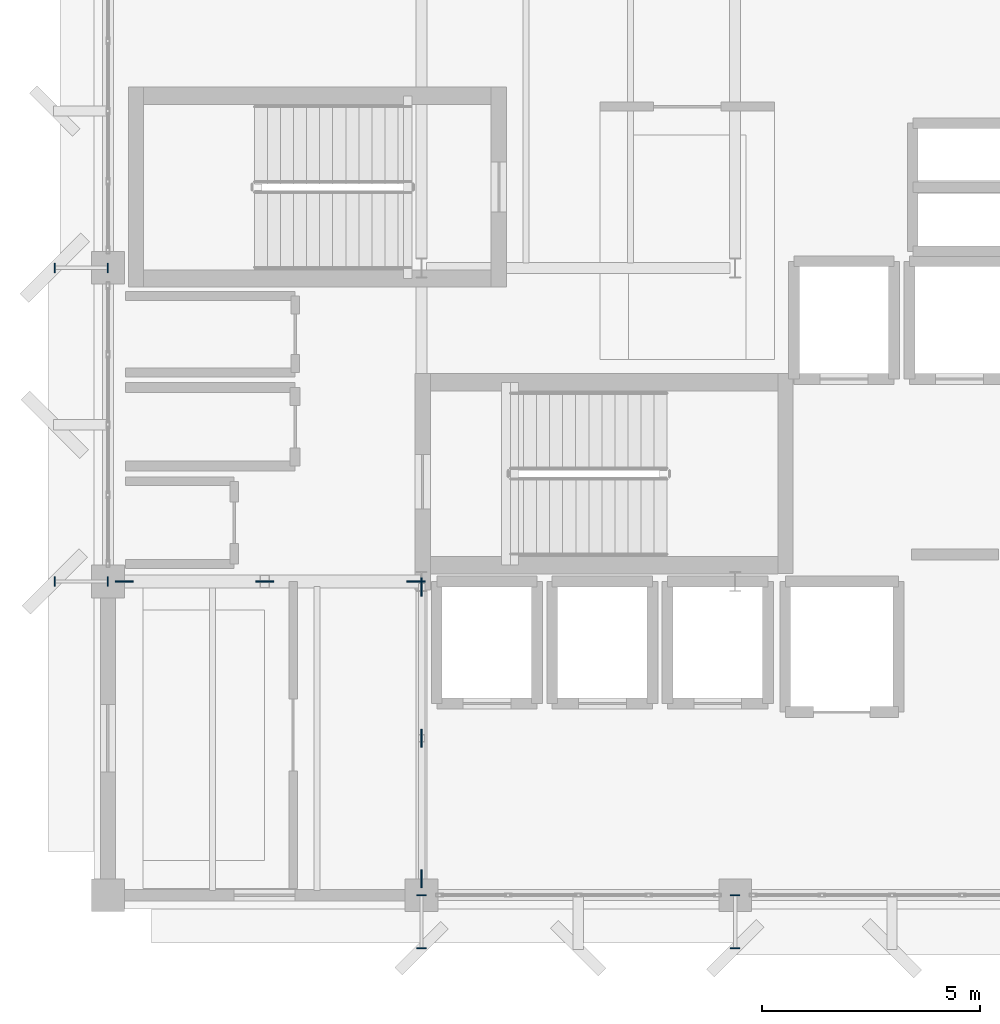
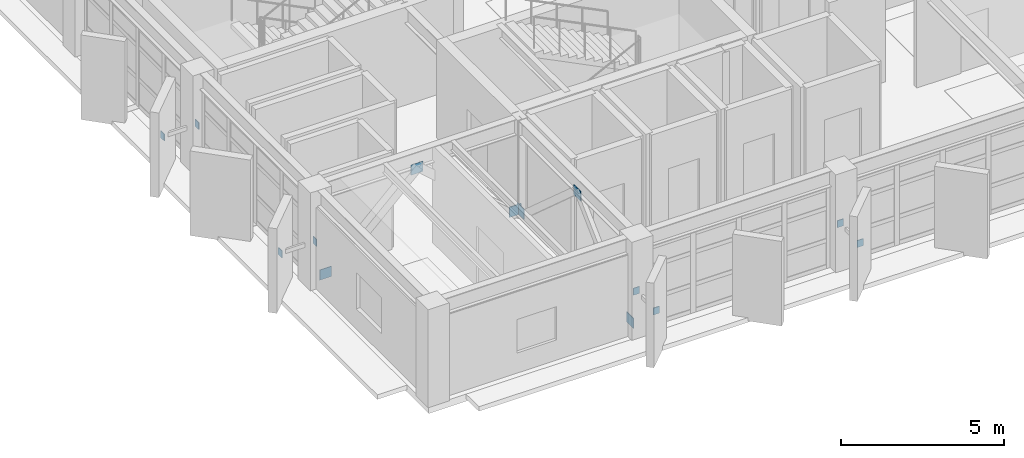
# One storey, part 25 of 32: 14 discrete accessories.
"""IFC4 building model written with IfcOpenShell, lengths in metres."""

from ifc_helpers import new_model, si_unit, direction, frame, origin, origin_2d, place, context, subcontext, project, spatial, rectangle, extrude, material, type_object, element, save


model = new_model("IFC4")

# Units and contexts
model_context = context("Model", 3, precision=1e-05, world=origin(), true_north=direction((0.0, 1.0)))
body_context = subcontext(model_context, "Body", "Model", "MODEL_VIEW")
ifc_project = project(units=[si_unit("LENGTHUNIT", "METRE"), si_unit("AREAUNIT", "SQUARE_METRE"), si_unit("VOLUMEUNIT", "CUBIC_METRE"), si_unit("PLANEANGLEUNIT", "RADIAN"), si_unit("MASSUNIT", "GRAM", prefix="KILO")], contexts=[model_context])

# Site, building, storey
site_placement = place(None, origin())
site = spatial("IfcSite", under=ifc_project, at=site_placement, CompositionType="ELEMENT")
building_placement = place(site_placement, origin())
building = spatial("IfcBuilding", under=site, at=building_placement, Name="Kandorven Conservatory and Botanical Research Centre", CompositionType="ELEMENT")
storey_placement = place(building_placement, frame((0.0, 0.0, 17.10009765625)))
storey = spatial("IfcBuildingStorey", under=building, at=storey_placement, Name="L04", CompositionType="ELEMENT", Elevation=17.10009765625)

# Discrete accessories
ifc_material_1 = material(Name="Steel S355 (IS 2062 E350)", Category="steel")
discrete_accessory_type_1 = type_object("IfcDiscreteAccessoryType", Name="BraceGussetPlate", PredefinedType="BRACKET", material=ifc_material_1)
for number, where, z_axis, x_axis, name in (
    (1, (6.375, 13.199951171875, -0.010009765625), (0.0, 0.0, 1.0), (1.0, 0.0, 0.0), "Welded chevron brace gusset plate L04 X-W"),
    (2, (9.60009765625, 13.199951171875, 2.780029296875), (0.0, 0.0, 1.0), (1.0, 0.0, 0.0), "Welded chevron brace gusset plate L04 X-M"),
    (3, (13.074951171875, 13.199951171875, -0.010009765625), (0.0, 0.0, 1.0), (1.0, 0.0, 0.0), "Welded chevron brace gusset plate L04 X-E"),
):
    element("IfcDiscreteAccessory", number, at=place(storey_placement, frame(where, z_axis=z_axis, x_axis=x_axis)), inside=storey, type_object=discrete_accessory_type_1, Name=name, PredefinedType="BRACKET", context=body_context, shape_type="SweptSolid", body=[
        extrude(rectangle(XDim=0.419921875, YDim=0.028076171875, at=origin_2d()), origin(), (0.0, 0.0, 1.0), 0.3798828125),
    ])
for number, where, z_axis, x_axis, name in (
    (4, (13.199951171875, 6.375, -0.010009765625), (0.0, 0.0, 1.0), (1.0, 0.0, 0.0), "Welded chevron brace gusset plate L04 Y-S"),
    (5, (13.199951171875, 9.60009765625, 2.780029296875), (0.0, 0.0, 1.0), (1.0, 0.0, 0.0), "Welded chevron brace gusset plate L04 Y-M"),
    (6, (13.199951171875, 13.074951171875, -0.010009765625), (0.0, 0.0, 1.0), (1.0, 0.0, 0.0), "Welded chevron brace gusset plate L04 Y-N"),
):
    element("IfcDiscreteAccessory", number, at=place(storey_placement, frame(where, z_axis=z_axis, x_axis=x_axis)), inside=storey, type_object=discrete_accessory_type_1, Name=name, PredefinedType="BRACKET", context=body_context, shape_type="SweptSolid", body=[
        extrude(rectangle(XDim=0.028076171875, YDim=0.419921875, at=origin_2d()), origin(), (0.0, 0.0, 1.0), 0.3798828125),
    ])
ifc_material_2 = material(Name="Steel S355 (IS 2062 E350)", Category="steel")
discrete_accessory_type_2 = type_object("IfcDiscreteAccessoryType", Name="SteelGussetPlate", PredefinedType="BRACKET", material=ifc_material_2)
for number, where, z_axis, x_axis, name in (
    (7, (13.199951171875, 6.0, 1.3701171875), (0.0, 0.0, 1.0), (1.0, 0.0, 0.0), "Welded steel strut end-plate GUS-01 #31A"),
    (8, (13.199951171875, 4.780029296875, 1.3701171875), (0.0, 0.0, 1.0), (1.0, 0.0, 0.0), "Welded steel strut end-plate GUS-01 #31B"),
    (9, (20.39990234375, 6.0, 1.3701171875), (0.0, 0.0, 1.0), (1.0, 0.0, 0.0), "Welded steel strut end-plate GUS-01 #33A"),
    (10, (20.39990234375, 4.780029296875, 1.3701171875), (0.0, 0.0, 1.0), (1.0, 0.0, 0.0), "Welded steel strut end-plate GUS-01 #33B"),
):
    element("IfcDiscreteAccessory", number, at=place(storey_placement, frame(where, z_axis=z_axis, x_axis=x_axis)), inside=storey, type_object=discrete_accessory_type_2, Name=name, PredefinedType="BRACKET", context=body_context, shape_type="SweptSolid", body=[
        extrude(rectangle(XDim=0.219970703125, YDim=0.02392578125, at=origin_2d()), origin(), (0.0, 0.0, 1.0), 0.260009765625),
    ])
for number, where, z_axis, x_axis, name in (
    (11, (6.0, 13.199951171875, 1.3701171875), (0.0, 0.0, 1.0), (1.0, 0.0, 0.0), "Welded steel strut end-plate GUS-01 #37A"),
    (12, (4.780029296875, 13.199951171875, 1.3701171875), (0.0, 0.0, 1.0), (1.0, 0.0, 0.0), "Welded steel strut end-plate GUS-01 #37B"),
    (13, (6.0, 20.39990234375, 1.3701171875), (0.0, 0.0, 1.0), (1.0, 0.0, 0.0), "Welded steel strut end-plate GUS-01 #39A"),
    (14, (4.780029296875, 20.39990234375, 1.3701171875), (0.0, 0.0, 1.0), (1.0, 0.0, 0.0), "Welded steel strut end-plate GUS-01 #39B"),
):
    element("IfcDiscreteAccessory", number, at=place(storey_placement, frame(where, z_axis=z_axis, x_axis=x_axis)), inside=storey, type_object=discrete_accessory_type_2, Name=name, PredefinedType="BRACKET", context=body_context, shape_type="SweptSolid", body=[
        extrude(rectangle(XDim=0.02392578125, YDim=0.219970703125, at=origin_2d()), origin(), (0.0, 0.0, 1.0), 0.260009765625),
    ])

save(model, "model.ifc")
